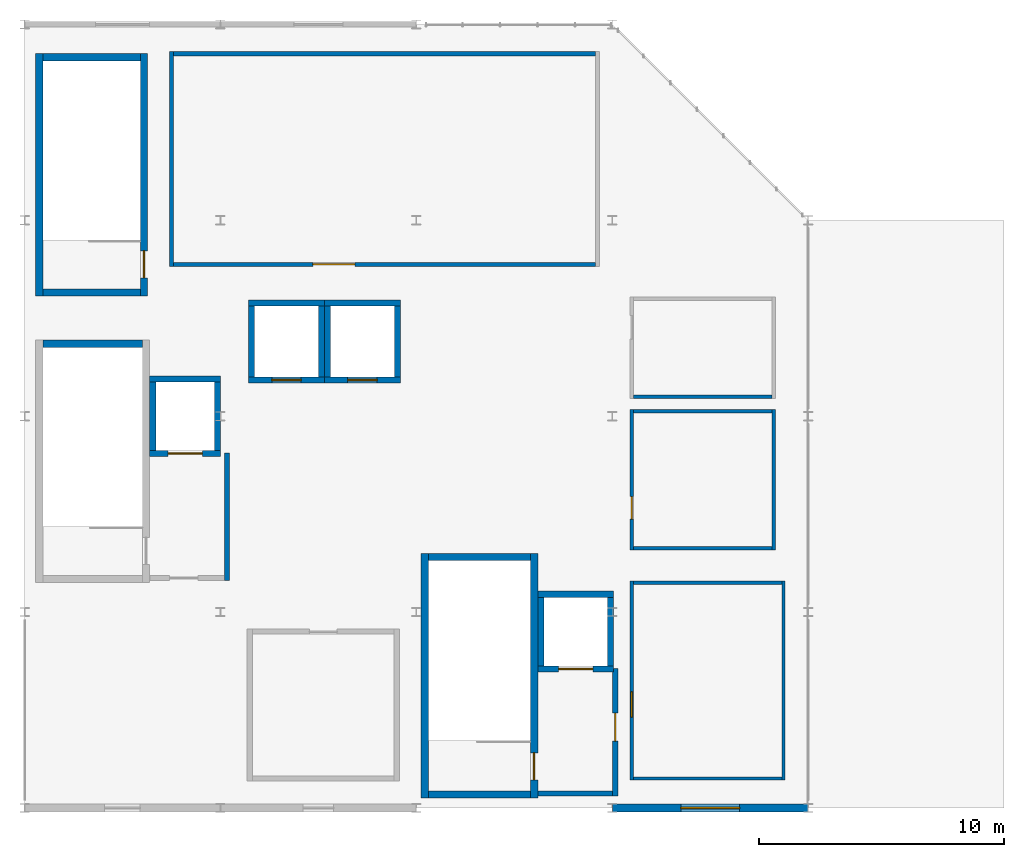
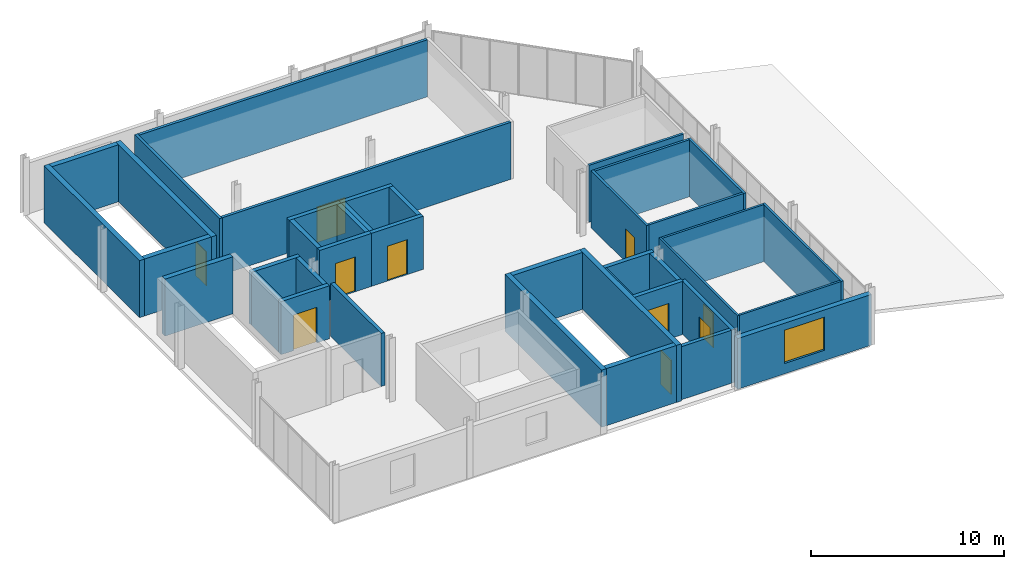
# One storey, part 5 of 7: 41 walls, 10 doors, 1 window, 11 openings.
"""IFC4 building model written with IfcOpenShell, lengths in metres."""

from ifc_helpers import new_model, si_unit, direction, frame, frame_2d, origin, place, context, subcontext, project, spatial, rectangle, extrude, material, layer, layer_set, type_object, element, fill, save


model = new_model("IFC4")

# Units and contexts
model_context = context("Model", 3, precision=1e-05, world=origin(), true_north=direction((0.0, 1.0)))
body_context = subcontext(model_context, "Body", "Model", "MODEL_VIEW")
ifc_project = project(units=[si_unit("LENGTHUNIT", "METRE"), si_unit("AREAUNIT", "SQUARE_METRE"), si_unit("VOLUMEUNIT", "CUBIC_METRE"), si_unit("PLANEANGLEUNIT", "RADIAN"), si_unit("MASSUNIT", "GRAM", prefix="KILO")], contexts=[model_context])

# Site, building, storey
site_placement = place(None, origin())
site = spatial("IfcSite", under=ifc_project, at=site_placement, CompositionType="ELEMENT")
building_placement = place(site_placement, origin())
building = spatial("IfcBuilding", under=site, at=building_placement, Name="Drelvath Fold Interchange", CompositionType="ELEMENT")
storey_placement = place(building_placement, frame((0.0, 0.0, 24.0)))
storey = spatial("IfcBuildingStorey", under=building, at=storey_placement, Name="L05", CompositionType="ELEMENT", Elevation=24.0)

# Walls
ifc_material_1 = material(Name="Concrete f'c 45 MPa (6500 psi)", Category="concrete")
ifc_layer_1 = layer(ifc_material_1, 0.300048828125, Name="Concrete f'c 45 MPa (6500 psi)")
ifc_layer_set_1 = layer_set([ifc_layer_1], Name="Concrete f'c 45 MPa (6500 psi)")
wall_type_1 = type_object("IfcWallType", Name="WL-CR300", PredefinedType="SHEAR", material=ifc_layer_set_1)
wall_1_placement = place(storey_placement, frame((8.81005859375, 21.949951171875, 0.0), z_axis=(0.0, 0.0, 1.0), x_axis=(-1.0, 0.0, 0.0)))
element("IfcWall", 1, at=wall_1_placement, inside=storey, type_object=wall_type_1, Name="ST-01 L05 north core wall", PredefinedType="SHEAR", context=body_context, shape_type="SweptSolid", body=[
    extrude(rectangle(XDim=4.06005859375, YDim=0.300048828125, at=frame_2d((2.030029296875, 0.0))), origin(), (0.0, 0.0, 1.0), 3.60009765625),
])
wall_2_placement = place(storey_placement, frame((4.75, 24.050048828125, 0.0), z_axis=(0.0, 0.0, 1.0), x_axis=(1.0, 0.0, 0.0)))
element("IfcWall", 2, at=wall_2_placement, inside=storey, type_object=wall_type_1, Name="ST-02 L05 south core wall", PredefinedType="SHEAR", context=body_context, shape_type="SweptSolid", body=[
    extrude(rectangle(XDim=3.97998046875, YDim=0.300048828125, at=frame_2d((1.989990234375, 0.0))), origin(), (0.0, 0.0, 1.0), 3.60009765625),
])

# Wall, opening, door
wall_3_placement = place(storey_placement, frame((8.8798828125, 23.89990234375, 0.0), z_axis=(0.0, 0.0, 1.0), x_axis=(0.0, 1.0, 0.0)))
wall_3 = element("IfcWall", 3, at=wall_3_placement, inside=storey, type_object=wall_type_1, Name="ST-02 L05 east core wall", PredefinedType="SHEAR", context=body_context, shape_type="SweptSolid", body=[
    extrude(rectangle(XDim=9.900146484375, YDim=0.300048828125, at=frame_2d((4.9501953125, 0.0))), origin(), (0.0, 0.0, 1.0), 3.60009765625),
])
opening_1_placement = place(wall_3_placement, frame((0.75, 0.0, 0.0)))
opening_1 = element("IfcOpeningElement", 4, at=opening_1_placement, cuts=wall_3, Name="Opening D-L05-016", PredefinedType="OPENING", context=body_context, shape_type="SweptSolid", body=[
    extrude(rectangle(XDim=1.10009765625, YDim=2.14990234375, at=frame_2d((0.550048828125, 1.074951171875))), frame((0.0, 0.159912109375, 0.0), z_axis=(0.0, -1.0, 0.0), x_axis=(1.0, 0.0, 0.0)), (0.0, 0.0, 1.0), 0.320068359375),
])
ifc_material_2 = material(Name="Insulated Hollow Metal Door Assembly")
door_type_1 = type_object("IfcDoorType", Name="DR-ST1100", OperationType="NOTDEFINED", PredefinedType="DOOR", material=ifc_material_2)
door_1_placement = place(opening_1_placement, origin())
door_1 = element("IfcDoor", 5, at=door_1_placement, inside=storey, type_object=door_type_1, Name="ST-02 L05 stair fire door D-L05-016", OperationType="SINGLE_SWING_RIGHT", OverallHeight=2.14990234375, OverallWidth=1.10009765625, PredefinedType="DOOR", context=body_context, shape_type="SweptSolid", body=[
    extrude(rectangle(XDim=1.10009765625, YDim=2.14990234375, at=frame_2d((0.550048828125, 1.074951171875))), frame((0.0, 0.02490234375, 0.0), z_axis=(0.0, -1.0, 0.0), x_axis=(1.0, 0.0, 0.0)), (0.0, 0.0, 1.0), 0.050048828125),
])
fill(opening_1, door_1)

# Walls
wall_4_placement = place(storey_placement, frame((8.72998046875, 33.64990234375, 0.0), z_axis=(0.0, 0.0, 1.0), x_axis=(-1.0, 0.0, 0.0)))
element("IfcWall", 6, at=wall_4_placement, inside=storey, type_object=wall_type_1, Name="ST-02 L05 north core wall", PredefinedType="SHEAR", context=body_context, shape_type="SweptSolid", body=[
    extrude(rectangle(XDim=3.97998046875, YDim=0.300048828125, at=frame_2d((1.989990234375, 0.0))), origin(), (0.0, 0.0, 1.0), 3.60009765625),
])
wall_5_placement = place(storey_placement, frame((4.60009765625, 33.800048828125, 0.0), z_axis=(0.0, 0.0, 1.0), x_axis=(0.0, -1.0, 0.0)))
element("IfcWall", 7, at=wall_5_placement, inside=storey, type_object=wall_type_1, Name="ST-02 L05 west core wall", PredefinedType="SHEAR", context=body_context, shape_type="SweptSolid", body=[
    extrude(rectangle(XDim=9.900146484375, YDim=0.300048828125, at=frame_2d((4.9501953125, 0.0))), origin(), (0.0, 0.0, 1.0), 3.60009765625),
])
wall_6_placement = place(storey_placement, frame((20.5, 3.550048828125, 0.0), z_axis=(0.0, 0.0, 1.0), x_axis=(1.0, 0.0, 0.0)))
element("IfcWall", 8, at=wall_6_placement, inside=storey, type_object=wall_type_1, Name="ST-03 L05 south core wall", PredefinedType="SHEAR", context=body_context, shape_type="SweptSolid", body=[
    extrude(rectangle(XDim=4.159912109375, YDim=0.300048828125, at=frame_2d((2.080078125, 0.0))), origin(), (0.0, 0.0, 1.0), 3.60009765625),
])

# Wall, opening, door
wall_7_placement = place(storey_placement, frame((24.81005859375, 3.39990234375, 0.0), z_axis=(0.0, 0.0, 1.0), x_axis=(0.0, 1.0, 0.0)))
wall_7 = element("IfcWall", 9, at=wall_7_placement, inside=storey, type_object=wall_type_1, Name="ST-03 L05 east core wall", PredefinedType="SHEAR", context=body_context, shape_type="SweptSolid", body=[
    extrude(rectangle(XDim=10.0, YDim=0.300048828125, at=frame_2d((5.0, 0.0))), origin(), (0.0, 0.0, 1.0), 3.60009765625),
])
opening_2_placement = place(wall_7_placement, frame((0.75, 0.0, 0.0)))
opening_2 = element("IfcOpeningElement", 10, at=opening_2_placement, cuts=wall_7, Name="Opening D-L05-024", PredefinedType="OPENING", context=body_context, shape_type="SweptSolid", body=[
    extrude(rectangle(XDim=1.10009765625, YDim=2.14990234375, at=frame_2d((0.550048828125, 1.074951171875))), frame((0.0, 0.159912109375, 0.0), z_axis=(0.0, -1.0, 0.0), x_axis=(1.0, 0.0, 0.0)), (0.0, 0.0, 1.0), 0.320068359375),
])
door_2_placement = place(opening_2_placement, origin())
door_2 = element("IfcDoor", 11, at=door_2_placement, inside=storey, type_object=door_type_1, Name="ST-03 L05 stair fire door D-L05-024", OperationType="SINGLE_SWING_RIGHT", OverallHeight=2.14990234375, OverallWidth=1.10009765625, PredefinedType="DOOR", context=body_context, shape_type="SweptSolid", body=[
    extrude(rectangle(XDim=1.10009765625, YDim=2.14990234375, at=frame_2d((0.550048828125, 1.074951171875))), frame((0.0, 0.02490234375, 0.0), z_axis=(0.0, -1.0, 0.0), x_axis=(1.0, 0.0, 0.0)), (0.0, 0.0, 1.0), 0.050048828125),
])
fill(opening_2, door_2)

# Walls
wall_8_placement = place(storey_placement, frame((24.659912109375, 13.25, 0.0), z_axis=(0.0, 0.0, 1.0), x_axis=(-1.0, 0.0, 0.0)))
element("IfcWall", 12, at=wall_8_placement, inside=storey, type_object=wall_type_1, Name="ST-03 L05 north core wall", PredefinedType="SHEAR", context=body_context, shape_type="SweptSolid", body=[
    extrude(rectangle(XDim=4.159912109375, YDim=0.300048828125, at=frame_2d((2.080078125, 0.0))), origin(), (0.0, 0.0, 1.0), 3.60009765625),
])
wall_9_placement = place(storey_placement, frame((20.35009765625, 13.39990234375, 0.0), z_axis=(0.0, 0.0, 1.0), x_axis=(0.0, -1.0, 0.0)))
element("IfcWall", 13, at=wall_9_placement, inside=storey, type_object=wall_type_1, Name="ST-03 L05 west core wall", PredefinedType="SHEAR", context=body_context, shape_type="SweptSolid", body=[
    extrude(rectangle(XDim=10.0, YDim=0.300048828125, at=frame_2d((5.0, 0.0))), origin(), (0.0, 0.0, 1.0), 3.60009765625),
])

# Wall, opening, window
ifc_material_3 = material(Name="Precast concrete f'c 40 MPa (6000 psi)", Category="concrete")
ifc_layer_2 = layer(ifc_material_3, 0.31494140625, Name="Precast concrete f'c 40 MPa (6000 psi)")
ifc_layer_set_2 = layer_set([ifc_layer_2], Name="Precast concrete f'c 40 MPa (6000 psi)")
wall_type_2 = type_object("IfcWallType", Name="WL-EXT315", PredefinedType="SOLIDWALL", material=ifc_layer_set_2)
wall_10_placement = place(storey_placement, frame((28.008056640625, 3.0, 0.0), z_axis=(0.0, 0.0, 1.0), x_axis=(1.0, 0.0, 0.0)))
wall_10 = element("IfcWall", 14, at=wall_10_placement, inside=storey, type_object=wall_type_2, Name="L05 exterior facade wall 82", PredefinedType="SOLIDWALL", context=body_context, shape_type="SweptSolid", body=[
    extrude(rectangle(XDim=7.98388671875, YDim=0.31494140625, at=frame_2d((3.991943359375, 0.0))), origin(), (0.0, 0.0, 1.0), 3.199951171875),
])
opening_3_placement = place(wall_10_placement, frame((2.7919921875, 0.0, 0.64990234375)))
opening_3 = element("IfcOpeningElement", 15, at=opening_3_placement, cuts=wall_10, Name="Opening W-L05-073", PredefinedType="OPENING", context=body_context, shape_type="SweptSolid", body=[
    extrude(rectangle(XDim=2.39990234375, YDim=2.10009765625, at=frame_2d((1.199951171875, 1.050048828125))), frame((0.0, 0.16748046875, 0.0), z_axis=(0.0, -1.0, 0.0), x_axis=(1.0, 0.0, 0.0)), (0.0, 0.0, 1.0), 0.3349609375),
])
ifc_material_4 = material(Name="Low-Iron Insulated Laminated Glass", Category="glass")
window_type = type_object("IfcWindowType", Name="WN-240x210", PartitioningType="TRIPLE_PANEL_HORIZONTAL", PredefinedType="WINDOW", material=ifc_material_4)
window_placement = place(opening_3_placement, origin())
window = element("IfcWindow", 16, at=window_placement, inside=storey, type_object=window_type, Name="Facade window W-L05-073", OverallHeight=2.10009765625, OverallWidth=2.39990234375, PartitioningType="SINGLE_PANEL", PredefinedType="WINDOW", context=body_context, shape_type="SweptSolid", body=[
    extrude(rectangle(XDim=2.39990234375, YDim=2.10009765625, at=frame_2d((1.199951171875, 1.050048828125))), frame((0.0, 0.030029296875, 0.0), z_axis=(0.0, -1.0, 0.0), x_axis=(1.0, 0.0, 0.0)), (0.0, 0.0, 1.0), 0.06005859375),
])
fill(opening_3, window)

# Walls
ifc_layer_3 = layer(ifc_material_1, 0.219970703125, Name="Concrete f'c 45 MPa (6500 psi)")
ifc_layer_set_3 = layer_set([ifc_layer_3], Name="Concrete f'c 45 MPa (6500 psi)")
wall_type_3 = type_object("IfcWallType", Name="WL-FF220", PredefinedType="SOLIDWALL", material=ifc_layer_set_3)
wall_11_placement = place(storey_placement, frame((12.27001953125, 12.280029296875, 0.0), z_axis=(0.0, 0.0, 1.0), x_axis=(0.0, 1.0, 0.0)))
element("IfcWall", 17, at=wall_11_placement, inside=storey, type_object=wall_type_3, Name="Firefighting Lift Lobby FF-1 L05 east rated wall", PredefinedType="SOLIDWALL", context=body_context, shape_type="SweptSolid", body=[
    extrude(rectangle(XDim=5.2099609375, YDim=0.219970703125, at=frame_2d((2.60498046875, 0.0))), origin(), (0.0, 0.0, 1.0), 3.35009765625),
])
wall_12_placement = place(storey_placement, frame((24.969970703125, 3.590087890625, 0.0), z_axis=(0.0, 0.0, 1.0), x_axis=(1.0, 0.0, 0.0)))
element("IfcWall", 18, at=wall_12_placement, inside=storey, type_object=wall_type_3, Name="Firefighting Lift Lobby FF-2 L05 south rated wall", PredefinedType="SOLIDWALL", context=body_context, shape_type="SweptSolid", body=[
    extrude(rectangle(XDim=3.0400390625, YDim=0.219970703125, at=frame_2d((1.52001953125, 0.0))), origin(), (0.0, 0.0, 1.0), 3.35009765625),
])

# Wall, opening, door
wall_13_placement = place(storey_placement, frame((28.1201171875, 3.47998046875, 0.0), z_axis=(0.0, 0.0, 1.0), x_axis=(0.0, 1.0, 0.0)))
wall_13 = element("IfcWall", 19, at=wall_13_placement, inside=storey, type_object=wall_type_3, Name="Firefighting Lift Lobby FF-2 L05 east rated wall", PredefinedType="SOLIDWALL", context=body_context, shape_type="SweptSolid", body=[
    extrude(rectangle(XDim=5.2099609375, YDim=0.219970703125, at=frame_2d((2.60498046875, 0.0))), origin(), (0.0, 0.0, 1.0), 3.35009765625),
])
opening_4_placement = place(wall_13_placement, frame((2.2451171875, 0.0, 0.0)))
opening_4 = element("IfcOpeningElement", 20, at=opening_4_placement, cuts=wall_13, Name="Opening D-L05-063", PredefinedType="OPENING", context=body_context, shape_type="SweptSolid", body=[
    extrude(rectangle(XDim=1.14990234375, YDim=2.14990234375, at=frame_2d((0.574951171875, 1.074951171875))), frame((0.0, 0.119873046875, 0.0), z_axis=(0.0, -1.0, 0.0), x_axis=(1.0, 0.0, 0.0)), (0.0, 0.0, 1.0), 0.239990234375),
])
door_type_2 = type_object("IfcDoorType", Name="DR-FF1150", OperationType="NOTDEFINED", PredefinedType="DOOR", material=ifc_material_2)
door_3_placement = place(opening_4_placement, origin())
door_3 = element("IfcDoor", 21, at=door_3_placement, inside=storey, type_object=door_type_2, Name="Firefighting Lift Lobby FF-2 L05 corridor fire door D-L05-063", OperationType="SINGLE_SWING_LEFT", OverallHeight=2.14990234375, OverallWidth=1.14990234375, PredefinedType="DOOR", context=body_context, shape_type="SweptSolid", body=[
    extrude(rectangle(XDim=1.14990234375, YDim=2.14990234375, at=frame_2d((0.574951171875, 1.074951171875))), frame((0.0, 0.02490234375, 0.0), z_axis=(0.0, -1.0, 0.0), x_axis=(1.0, 0.0, 0.0)), (0.0, 0.0, 1.0), 0.050048828125),
])
fill(opening_4, door_3)

# Walls
ifc_material_5 = material(Name="Acoustic Gypsum Board Partition Assembly")
ifc_layer_4 = layer(ifc_material_5, 0.1298828125, Name="Acoustic Gypsum Board Partition Assembly")
ifc_layer_set_4 = layer_set([ifc_layer_4], Name="Acoustic Gypsum Board Partition Assembly")
wall_type_4 = type_object("IfcWallType", Name="WL-PT130", PredefinedType="PARTITIONING", material=ifc_layer_set_4)
wall_14_placement = place(storey_placement, frame((28.864990234375, 4.199951171875, 0.0), z_axis=(0.0, 0.0, 1.0), x_axis=(1.0, 0.0, 0.0)))
element("IfcWall", 22, at=wall_14_placement, inside=storey, type_object=wall_type_4, Name="SCADA Telemetry Supervision Room S partition", PredefinedType="PARTITIONING", context=body_context, shape_type="SweptSolid", body=[
    extrude(rectangle(XDim=6.070068359375, YDim=0.1298828125, at=frame_2d((3.03515625, 0.0))), origin(), (0.0, 0.0, 1.0), 3.60009765625),
])
wall_15_placement = place(storey_placement, frame((35.0, 4.135009765625, 0.0), z_axis=(0.0, 0.0, 1.0), x_axis=(0.0, 1.0, 0.0)))
element("IfcWall", 23, at=wall_15_placement, inside=storey, type_object=wall_type_4, Name="SCADA Telemetry Supervision Room E partition", PredefinedType="PARTITIONING", context=body_context, shape_type="SweptSolid", body=[
    extrude(rectangle(XDim=8.1298828125, YDim=0.1298828125, at=frame_2d((4.06494140625, 0.0))), origin(), (0.0, 0.0, 1.0), 3.60009765625),
])
wall_16_placement = place(storey_placement, frame((34.93505859375, 12.199951171875, 0.0), z_axis=(0.0, 0.0, 1.0), x_axis=(-1.0, 0.0, 0.0)))
element("IfcWall", 24, at=wall_16_placement, inside=storey, type_object=wall_type_4, Name="SCADA Telemetry Supervision Room N partition", PredefinedType="PARTITIONING", context=body_context, shape_type="SweptSolid", body=[
    extrude(rectangle(XDim=6.070068359375, YDim=0.1298828125, at=frame_2d((3.03515625, 0.0))), origin(), (0.0, 0.0, 1.0), 3.60009765625),
])

# Wall, opening, door
wall_17_placement = place(storey_placement, frame((28.800048828125, 12.264892578125, 0.0), z_axis=(0.0, 0.0, 1.0), x_axis=(0.0, -1.0, 0.0)))
wall_17 = element("IfcWall", 25, at=wall_17_placement, inside=storey, type_object=wall_type_4, Name="SCADA Telemetry Supervision Room W partition", PredefinedType="PARTITIONING", context=body_context, shape_type="SweptSolid", body=[
    extrude(rectangle(XDim=8.1298828125, YDim=0.1298828125, at=frame_2d((4.06494140625, 0.0))), origin(), (0.0, 0.0, 1.0), 3.60009765625),
])
opening_5_placement = place(wall_17_placement, frame((4.52099609375, 0.0, 0.0)))
opening_5 = element("IfcOpeningElement", 26, at=opening_5_placement, cuts=wall_17, Name="Opening D-L05-139", PredefinedType="OPENING", context=body_context, shape_type="SweptSolid", body=[
    extrude(rectangle(XDim=1.0400390625, YDim=2.159912109375, at=frame_2d((0.52001953125, 1.080078125))), frame((0.0, 0.074951171875, 0.0), z_axis=(0.0, -1.0, 0.0), x_axis=(1.0, 0.0, 0.0)), (0.0, 0.0, 1.0), 0.14990234375),
])
ifc_material_6 = material(Name="Anodized Aluminium Glazed Door Assembly", Category="aluminium")
door_type_3 = type_object("IfcDoorType", Name="DR-NR104", OperationType="NOTDEFINED", PredefinedType="DOOR", material=ifc_material_6)
door_4_placement = place(opening_5_placement, origin())
door_4 = element("IfcDoor", 27, at=door_4_placement, inside=storey, type_object=door_type_3, Name="SCADA Telemetry Supervision Room door D-L05-139", OperationType="SINGLE_SWING_LEFT", OverallHeight=2.159912109375, OverallWidth=1.0400390625, PredefinedType="DOOR", context=body_context, shape_type="SweptSolid", body=[
    extrude(rectangle(XDim=1.0400390625, YDim=2.159912109375, at=frame_2d((0.52001953125, 1.080078125))), frame((0.0, 0.02490234375, 0.0), z_axis=(0.0, -1.0, 0.0), x_axis=(1.0, 0.0, 0.0)), (0.0, 0.0, 1.0), 0.050048828125),
])
fill(opening_5, door_4)

# Walls
ifc_layer_5 = layer(ifc_material_5, 0.14501953125, Name="Acoustic Gypsum Board Partition Assembly")
ifc_layer_set_5 = layer_set([ifc_layer_5], Name="Acoustic Gypsum Board Partition Assembly")
wall_type_5 = type_object("IfcWallType", Name="WL-PT145", PredefinedType="PARTITIONING", material=ifc_layer_set_5)
wall_18_placement = place(storey_placement, frame((28.873046875, 13.60009765625, 0.0), z_axis=(0.0, 0.0, 1.0), x_axis=(1.0, 0.0, 0.0)))
element("IfcWall", 28, at=wall_18_placement, inside=storey, type_object=wall_type_5, Name="Control Theatre Staff Toilet S partition", PredefinedType="PARTITIONING", context=body_context, shape_type="SweptSolid", body=[
    extrude(rectangle(XDim=5.655029296875, YDim=0.14501953125, at=frame_2d((2.82763671875, 0.0))), origin(), (0.0, 0.0, 1.0), 3.60009765625),
])
wall_19_placement = place(storey_placement, frame((34.60009765625, 13.527099609375, 0.0), z_axis=(0.0, 0.0, 1.0), x_axis=(0.0, 1.0, 0.0)))
element("IfcWall", 29, at=wall_19_placement, inside=storey, type_object=wall_type_5, Name="Control Theatre Staff Toilet E partition", PredefinedType="PARTITIONING", context=body_context, shape_type="SweptSolid", body=[
    extrude(rectangle(XDim=5.745849609375, YDim=0.14501953125, at=frame_2d((2.873046875, 0.0))), origin(), (0.0, 0.0, 1.0), 3.60009765625),
])
wall_20_placement = place(storey_placement, frame((34.528076171875, 19.199951171875, 0.0), z_axis=(0.0, 0.0, 1.0), x_axis=(-1.0, 0.0, 0.0)))
element("IfcWall", 30, at=wall_20_placement, inside=storey, type_object=wall_type_5, Name="Control Theatre Staff Toilet N partition", PredefinedType="PARTITIONING", context=body_context, shape_type="SweptSolid", body=[
    extrude(rectangle(XDim=5.655029296875, YDim=0.14501953125, at=frame_2d((2.82763671875, 0.0))), origin(), (0.0, 0.0, 1.0), 3.60009765625),
])

# Wall, opening, door
wall_21_placement = place(storey_placement, frame((28.800048828125, 19.27294921875, 0.0), z_axis=(0.0, 0.0, 1.0), x_axis=(0.0, -1.0, 0.0)))
wall_21 = element("IfcWall", 31, at=wall_21_placement, inside=storey, type_object=wall_type_5, Name="Control Theatre Staff Toilet W partition", PredefinedType="PARTITIONING", context=body_context, shape_type="SweptSolid", body=[
    extrude(rectangle(XDim=5.745849609375, YDim=0.14501953125, at=frame_2d((2.873046875, 0.0))), origin(), (0.0, 0.0, 1.0), 3.60009765625),
])
opening_6_placement = place(wall_21_placement, frame((3.56201171875, 0.0, 0.0)))
opening_6 = element("IfcOpeningElement", 32, at=opening_6_placement, cuts=wall_21, Name="Opening D-L05-141", PredefinedType="OPENING", context=body_context, shape_type="SweptSolid", body=[
    extrude(rectangle(XDim=0.919921875, YDim=2.10009765625, at=frame_2d((0.4599609375, 1.050048828125))), frame((0.0, 0.08251953125, 0.0), z_axis=(0.0, -1.0, 0.0), x_axis=(1.0, 0.0, 0.0)), (0.0, 0.0, 1.0), 0.1650390625),
])
door_type_4 = type_object("IfcDoorType", Name="DR-NR092", OperationType="NOTDEFINED", PredefinedType="DOOR", material=ifc_material_6)
door_5_placement = place(opening_6_placement, origin())
door_5 = element("IfcDoor", 33, at=door_5_placement, inside=storey, type_object=door_type_4, Name="Control Theatre Staff Toilet door D-L05-141", OperationType="SINGLE_SWING_LEFT", OverallHeight=2.10009765625, OverallWidth=0.919921875, PredefinedType="DOOR", context=body_context, shape_type="SweptSolid", body=[
    extrude(rectangle(XDim=0.919921875, YDim=2.10009765625, at=frame_2d((0.4599609375, 1.050048828125))), frame((0.0, 0.02490234375, 0.0), z_axis=(0.0, -1.0, 0.0), x_axis=(1.0, 0.0, 0.0)), (0.0, 0.0, 1.0), 0.050048828125),
])
fill(opening_6, door_5)

# Wall
wall_22_placement = place(storey_placement, frame((28.873046875, 19.800048828125, 0.0), z_axis=(0.0, 0.0, 1.0), x_axis=(1.0, 0.0, 0.0)))
element("IfcWall", 34, at=wall_22_placement, inside=storey, type_object=wall_type_5, Name="Control Theatre Accessible WC S partition", PredefinedType="PARTITIONING", context=body_context, shape_type="SweptSolid", body=[
    extrude(rectangle(XDim=5.655029296875, YDim=0.14501953125, at=frame_2d((2.82763671875, 0.0))), origin(), (0.0, 0.0, 1.0), 3.60009765625),
])

# Wall, opening, door
ifc_layer_6 = layer(ifc_material_5, 0.169921875, Name="Acoustic Gypsum Board Partition Assembly")
ifc_layer_set_6 = layer_set([ifc_layer_6], Name="Acoustic Gypsum Board Partition Assembly")
wall_type_6 = type_object("IfcWallType", Name="WL-PT170", PredefinedType="PARTITIONING", material=ifc_layer_set_6)
wall_23_placement = place(storey_placement, frame((10.0849609375, 25.199951171875, 0.0), z_axis=(0.0, 0.0, 1.0), x_axis=(1.0, 0.0, 0.0)))
wall_23 = element("IfcWall", 35, at=wall_23_placement, inside=storey, type_object=wall_type_6, Name="Central Network Control Theatre S partition", PredefinedType="PARTITIONING", context=body_context, shape_type="SweptSolid", body=[
    extrude(rectangle(XDim=17.22998046875, YDim=0.169921875, at=frame_2d((8.614990234375, 0.0))), origin(), (0.0, 0.0, 1.0), 3.60009765625),
])
opening_7_placement = place(wall_23_placement, frame((5.68701171875, 0.0, 0.0)))
opening_7 = element("IfcOpeningElement", 36, at=opening_7_placement, cuts=wall_23, Name="Opening D-L05-138", PredefinedType="OPENING", context=body_context, shape_type="SweptSolid", body=[
    extrude(rectangle(XDim=1.719970703125, YDim=2.25, at=frame_2d((0.85986328125, 1.125))), frame((0.0, 0.094970703125, 0.0), z_axis=(0.0, -1.0, 0.0), x_axis=(1.0, 0.0, 0.0)), (0.0, 0.0, 1.0), 0.18994140625),
])
door_type_5 = type_object("IfcDoorType", Name="DR-NR172", OperationType="DOUBLE_DOOR_SINGLE_SWING", PredefinedType="DOOR", material=ifc_material_6)
door_6_placement = place(opening_7_placement, origin())
door_6 = element("IfcDoor", 37, at=door_6_placement, inside=storey, type_object=door_type_5, Name="Central Network Control Theatre door D-L05-138", OperationType="DOUBLE_DOOR_SINGLE_SWING", OverallHeight=2.25, OverallWidth=1.719970703125, PredefinedType="DOOR", context=body_context, shape_type="SweptSolid", body=[
    extrude(rectangle(XDim=1.719970703125, YDim=2.25, at=frame_2d((0.85986328125, 1.125))), frame((0.0, 0.02490234375, 0.0), z_axis=(0.0, -1.0, 0.0), x_axis=(1.0, 0.0, 0.0)), (0.0, 0.0, 1.0), 0.050048828125),
])
fill(opening_7, door_6)

# Walls
wall_24_placement = place(storey_placement, frame((27.31494140625, 33.800048828125, 0.0), z_axis=(0.0, 0.0, 1.0), x_axis=(-1.0, 0.0, 0.0)))
element("IfcWall", 38, at=wall_24_placement, inside=storey, type_object=wall_type_6, Name="Central Network Control Theatre N partition", PredefinedType="PARTITIONING", context=body_context, shape_type="SweptSolid", body=[
    extrude(rectangle(XDim=17.22998046875, YDim=0.169921875, at=frame_2d((8.614990234375, 0.0))), origin(), (0.0, 0.0, 1.0), 3.60009765625),
])
wall_25_placement = place(storey_placement, frame((10.0, 33.885009765625, 0.0), z_axis=(0.0, 0.0, 1.0), x_axis=(0.0, -1.0, 0.0)))
element("IfcWall", 39, at=wall_25_placement, inside=storey, type_object=wall_type_6, Name="Central Network Control Theatre W partition", PredefinedType="PARTITIONING", context=body_context, shape_type="SweptSolid", body=[
    extrude(rectangle(XDim=8.77001953125, YDim=0.169921875, at=frame_2d((4.385009765625, 0.0))), origin(), (0.0, 0.0, 1.0), 3.60009765625),
])

# Wall, opening, door
ifc_layer_7 = layer(ifc_material_1, 0.25, Name="Concrete f'c 45 MPa (6500 psi)")
ifc_layer_set_7 = layer_set([ifc_layer_7], Name="Concrete f'c 45 MPa (6500 psi)")
wall_type_7 = type_object("IfcWallType", Name="WL-SH250", PredefinedType="SOLIDWALL", material=ifc_layer_set_7)
wall_26_placement = place(storey_placement, frame((9.110107421875, 17.47509765625, 0.0), z_axis=(0.0, 0.0, 1.0), x_axis=(1.0, 0.0, 0.0)))
wall_26 = element("IfcWall", 40, at=wall_26_placement, inside=storey, type_object=wall_type_7, Name="LF-FF1 L05 south shaft wall", PredefinedType="SOLIDWALL", context=body_context, shape_type="SweptSolid", body=[
    extrude(rectangle(XDim=2.89990234375, YDim=0.25, at=frame_2d((1.449951171875, 0.0))), origin(), (0.0, 0.0, 1.0), 3.35009765625),
])
opening_8_placement = place(wall_26_placement, frame((0.75, 0.0, 0.0)))
opening_8 = element("IfcOpeningElement", 41, at=opening_8_placement, cuts=wall_26, Name="Opening LD-LF-FF1-L05", PredefinedType="OPENING", context=body_context, shape_type="SweptSolid", body=[
    extrude(rectangle(XDim=1.39990234375, YDim=2.25, at=frame_2d((0.699951171875, 1.125))), frame((0.0, 0.135009765625, 0.0), z_axis=(0.0, -1.0, 0.0), x_axis=(1.0, 0.0, 0.0)), (0.0, 0.0, 1.0), 0.27001953125),
])
door_type_6 = type_object("IfcDoorType", Name="DR-LD1400", OperationType="DOUBLE_DOOR_SLIDING", PredefinedType="DOOR", material=ifc_material_2)
door_7_placement = place(opening_8_placement, frame((1.39990234375, 0.0, 0.0), z_axis=(0.0, 0.0, 1.0), x_axis=(-1.0, 0.0, 0.0)))
door_7 = element("IfcDoor", 42, at=door_7_placement, inside=storey, type_object=door_type_6, Name="LF-FF1 L05 lift landing sliding door LD-LF-FF1-L05", OperationType="DOUBLE_DOOR_SLIDING", OverallHeight=2.25, OverallWidth=1.39990234375, PredefinedType="DOOR", context=body_context, shape_type="SweptSolid", body=[
    extrude(rectangle(XDim=1.39990234375, YDim=2.25, at=frame_2d((0.699951171875, 1.125))), frame((0.0, 0.02490234375, 0.0), z_axis=(0.0, -1.0, 0.0), x_axis=(1.0, 0.0, 0.0)), (0.0, 0.0, 1.0), 0.050048828125),
])
fill(opening_8, door_7)

# Walls
wall_27_placement = place(storey_placement, frame((12.010009765625, 20.52490234375, 0.0), z_axis=(0.0, 0.0, 1.0), x_axis=(-1.0, 0.0, 0.0)))
element("IfcWall", 43, at=wall_27_placement, inside=storey, type_object=wall_type_7, Name="LF-FF1 L05 north shaft wall", PredefinedType="SOLIDWALL", context=body_context, shape_type="SweptSolid", body=[
    extrude(rectangle(XDim=2.89990234375, YDim=0.25, at=frame_2d((1.449951171875, 0.0))), origin(), (0.0, 0.0, 1.0), 3.35009765625),
])
for number, where, z_axis, x_axis, name in (
    (44, (11.885009765625, 17.60009765625, 0.0), (0.0, 0.0, 1.0), (0.0, 1.0, 0.0), "LF-FF1 L05 east shaft wall"),
    (45, (9.235107421875, 20.39990234375, 0.0), (0.0, 0.0, 1.0), (0.0, -1.0, 0.0), "LF-FF1 L05 west shaft wall"),
):
    element("IfcWall", number, at=place(storey_placement, frame(where, z_axis=z_axis, x_axis=x_axis)), inside=storey, type_object=wall_type_7, Name=name, PredefinedType="SOLIDWALL", context=body_context, shape_type="SweptSolid", body=[
        extrude(rectangle(XDim=2.7998046875, YDim=0.25, at=frame_2d((1.39990234375, 0.0))), origin(), (0.0, 0.0, 1.0), 3.35009765625),
    ])

# Wall, opening, door
wall_28_placement = place(storey_placement, frame((24.9599609375, 8.675048828125, 0.0), z_axis=(0.0, 0.0, 1.0), x_axis=(1.0, 0.0, 0.0)))
wall_28 = element("IfcWall", 46, at=wall_28_placement, inside=storey, type_object=wall_type_7, Name="LF-FF2 L05 south shaft wall", PredefinedType="SOLIDWALL", context=body_context, shape_type="SweptSolid", body=[
    extrude(rectangle(XDim=3.10009765625, YDim=0.25, at=frame_2d((1.550048828125, 0.0))), origin(), (0.0, 0.0, 1.0), 3.35009765625),
])
opening_9_placement = place(wall_28_placement, frame((0.85009765625, 0.0, 0.0)))
opening_9 = element("IfcOpeningElement", 47, at=opening_9_placement, cuts=wall_28, Name="Opening LD-LF-FF2-L05", PredefinedType="OPENING", context=body_context, shape_type="SweptSolid", body=[
    extrude(rectangle(XDim=1.39990234375, YDim=2.25, at=frame_2d((0.699951171875, 1.125))), frame((0.0, 0.135009765625, 0.0), z_axis=(0.0, -1.0, 0.0), x_axis=(1.0, 0.0, 0.0)), (0.0, 0.0, 1.0), 0.27001953125),
])
door_8_placement = place(opening_9_placement, frame((1.39990234375, 0.0, 0.0), z_axis=(0.0, 0.0, 1.0), x_axis=(-1.0, 0.0, 0.0)))
door_8 = element("IfcDoor", 48, at=door_8_placement, inside=storey, type_object=door_type_6, Name="LF-FF2 L05 lift landing sliding door LD-LF-FF2-L05", OperationType="DOUBLE_DOOR_SLIDING", OverallHeight=2.25, OverallWidth=1.39990234375, PredefinedType="DOOR", context=body_context, shape_type="SweptSolid", body=[
    extrude(rectangle(XDim=1.39990234375, YDim=2.25, at=frame_2d((0.699951171875, 1.125))), frame((0.0, 0.02490234375, 0.0), z_axis=(0.0, -1.0, 0.0), x_axis=(1.0, 0.0, 0.0)), (0.0, 0.0, 1.0), 0.050048828125),
])
fill(opening_9, door_8)

# Walls
wall_29_placement = place(storey_placement, frame((28.06005859375, 11.72509765625, 0.0), z_axis=(0.0, 0.0, 1.0), x_axis=(-1.0, 0.0, 0.0)))
element("IfcWall", 49, at=wall_29_placement, inside=storey, type_object=wall_type_7, Name="LF-FF2 L05 north shaft wall", PredefinedType="SOLIDWALL", context=body_context, shape_type="SweptSolid", body=[
    extrude(rectangle(XDim=3.10009765625, YDim=0.25, at=frame_2d((1.550048828125, 0.0))), origin(), (0.0, 0.0, 1.0), 3.35009765625),
])
for number, where, z_axis, x_axis, name in (
    (50, (27.93505859375, 8.800048828125, 0.0), (0.0, 0.0, 1.0), (0.0, 1.0, 0.0), "LF-FF2 L05 east shaft wall"),
    (51, (25.0849609375, 11.60009765625, 0.0), (0.0, 0.0, 1.0), (0.0, -1.0, 0.0), "LF-FF2 L05 west shaft wall"),
):
    element("IfcWall", number, at=place(storey_placement, frame(where, z_axis=z_axis, x_axis=x_axis)), inside=storey, type_object=wall_type_7, Name=name, PredefinedType="SOLIDWALL", context=body_context, shape_type="SweptSolid", body=[
        extrude(rectangle(XDim=2.800048828125, YDim=0.25, at=frame_2d((1.39990234375, 0.0))), origin(), (0.0, 0.0, 1.0), 3.35009765625),
    ])

# Wall, opening, door
wall_30_placement = place(storey_placement, frame((13.14990234375, 20.47509765625, 0.0), z_axis=(0.0, 0.0, 1.0), x_axis=(1.0, 0.0, 0.0)))
wall_30 = element("IfcWall", 52, at=wall_30_placement, inside=storey, type_object=wall_type_7, Name="LF-01 L05 south shaft wall", PredefinedType="SOLIDWALL", context=body_context, shape_type="SweptSolid", body=[
    extrude(rectangle(XDim=3.10009765625, YDim=0.25, at=frame_2d((1.550048828125, 0.0))), origin(), (0.0, 0.0, 1.0), 3.35009765625),
])
opening_10_placement = place(wall_30_placement, frame((0.949951171875, 0.0, 0.0)))
opening_10 = element("IfcOpeningElement", 53, at=opening_10_placement, cuts=wall_30, Name="Opening LD-LF-01-L05", PredefinedType="OPENING", context=body_context, shape_type="SweptSolid", body=[
    extrude(rectangle(XDim=1.199951171875, YDim=2.199951171875, at=frame_2d((0.60009765625, 1.10009765625))), frame((0.0, 0.135009765625, 0.0), z_axis=(0.0, -1.0, 0.0), x_axis=(1.0, 0.0, 0.0)), (0.0, 0.0, 1.0), 0.27001953125),
])
door_type_7 = type_object("IfcDoorType", Name="DR-LD1200", OperationType="DOUBLE_DOOR_SLIDING", PredefinedType="DOOR", material=ifc_material_2)
door_9_placement = place(opening_10_placement, frame((1.199951171875, 0.0, 0.0), z_axis=(0.0, 0.0, 1.0), x_axis=(-1.0, 0.0, 0.0)))
door_9 = element("IfcDoor", 54, at=door_9_placement, inside=storey, type_object=door_type_7, Name="LF-01 L05 lift landing sliding door LD-LF-01-L05", OperationType="DOUBLE_DOOR_SLIDING", OverallHeight=2.199951171875, OverallWidth=1.199951171875, PredefinedType="DOOR", context=body_context, shape_type="SweptSolid", body=[
    extrude(rectangle(XDim=1.199951171875, YDim=2.199951171875, at=frame_2d((0.60009765625, 1.10009765625))), frame((0.0, 0.02490234375, 0.0), z_axis=(0.0, -1.0, 0.0), x_axis=(1.0, 0.0, 0.0)), (0.0, 0.0, 1.0), 0.050048828125),
])
fill(opening_10, door_9)

# Walls
wall_31_placement = place(storey_placement, frame((16.25, 23.625, 0.0), z_axis=(0.0, 0.0, 1.0), x_axis=(-1.0, 0.0, 0.0)))
element("IfcWall", 55, at=wall_31_placement, inside=storey, type_object=wall_type_7, Name="LF-01 L05 north shaft wall", PredefinedType="SOLIDWALL", context=body_context, shape_type="SweptSolid", body=[
    extrude(rectangle(XDim=3.10009765625, YDim=0.25, at=frame_2d((1.550048828125, 0.0))), origin(), (0.0, 0.0, 1.0), 3.35009765625),
])
for number, where, z_axis, x_axis, name in (
    (56, (16.125, 20.60009765625, 0.0), (0.0, 0.0, 1.0), (0.0, 1.0, 0.0), "LF-01 L05 east shaft wall"),
    (57, (13.27490234375, 23.5, 0.0), (0.0, 0.0, 1.0), (0.0, -1.0, 0.0), "LF-01 L05 west shaft wall"),
):
    element("IfcWall", number, at=place(storey_placement, frame(where, z_axis=z_axis, x_axis=x_axis)), inside=storey, type_object=wall_type_7, Name=name, PredefinedType="SOLIDWALL", context=body_context, shape_type="SweptSolid", body=[
        extrude(rectangle(XDim=2.89990234375, YDim=0.25, at=frame_2d((1.449951171875, 0.0))), origin(), (0.0, 0.0, 1.0), 3.35009765625),
    ])

# Wall, opening, door
wall_32_placement = place(storey_placement, frame((16.25, 20.47509765625, 0.0), z_axis=(0.0, 0.0, 1.0), x_axis=(1.0, 0.0, 0.0)))
wall_32 = element("IfcWall", 58, at=wall_32_placement, inside=storey, type_object=wall_type_7, Name="LF-02 L05 south shaft wall", PredefinedType="SOLIDWALL", context=body_context, shape_type="SweptSolid", body=[
    extrude(rectangle(XDim=3.10009765625, YDim=0.25, at=frame_2d((1.550048828125, 0.0))), origin(), (0.0, 0.0, 1.0), 3.35009765625),
])
opening_11_placement = place(wall_32_placement, frame((0.949951171875, 0.0, 0.0)))
opening_11 = element("IfcOpeningElement", 59, at=opening_11_placement, cuts=wall_32, Name="Opening LD-LF-02-L05", PredefinedType="OPENING", context=body_context, shape_type="SweptSolid", body=[
    extrude(rectangle(XDim=1.199951171875, YDim=2.199951171875, at=frame_2d((0.60009765625, 1.10009765625))), frame((0.0, 0.135009765625, 0.0), z_axis=(0.0, -1.0, 0.0), x_axis=(1.0, 0.0, 0.0)), (0.0, 0.0, 1.0), 0.27001953125),
])
door_10_placement = place(opening_11_placement, frame((1.199951171875, 0.0, 0.0), z_axis=(0.0, 0.0, 1.0), x_axis=(-1.0, 0.0, 0.0)))
door_10 = element("IfcDoor", 60, at=door_10_placement, inside=storey, type_object=door_type_7, Name="LF-02 L05 lift landing sliding door LD-LF-02-L05", OperationType="DOUBLE_DOOR_SLIDING", OverallHeight=2.199951171875, OverallWidth=1.199951171875, PredefinedType="DOOR", context=body_context, shape_type="SweptSolid", body=[
    extrude(rectangle(XDim=1.199951171875, YDim=2.199951171875, at=frame_2d((0.60009765625, 1.10009765625))), frame((0.0, 0.02490234375, 0.0), z_axis=(0.0, -1.0, 0.0), x_axis=(1.0, 0.0, 0.0)), (0.0, 0.0, 1.0), 0.050048828125),
])
fill(opening_11, door_10)

# Walls
wall_33_placement = place(storey_placement, frame((19.35009765625, 23.625, 0.0), z_axis=(0.0, 0.0, 1.0), x_axis=(-1.0, 0.0, 0.0)))
element("IfcWall", 61, at=wall_33_placement, inside=storey, type_object=wall_type_7, Name="LF-02 L05 north shaft wall", PredefinedType="SOLIDWALL", context=body_context, shape_type="SweptSolid", body=[
    extrude(rectangle(XDim=3.10009765625, YDim=0.25, at=frame_2d((1.550048828125, 0.0))), origin(), (0.0, 0.0, 1.0), 3.35009765625),
])
for number, where, z_axis, x_axis, name in (
    (62, (19.22509765625, 20.60009765625, 0.0), (0.0, 0.0, 1.0), (0.0, 1.0, 0.0), "LF-02 L05 east shaft wall"),
    (63, (16.375, 23.5, 0.0), (0.0, 0.0, 1.0), (0.0, -1.0, 0.0), "LF-02 L05 west shaft wall"),
):
    element("IfcWall", number, at=place(storey_placement, frame(where, z_axis=z_axis, x_axis=x_axis)), inside=storey, type_object=wall_type_7, Name=name, PredefinedType="SOLIDWALL", context=body_context, shape_type="SweptSolid", body=[
        extrude(rectangle(XDim=2.89990234375, YDim=0.25, at=frame_2d((1.449951171875, 0.0))), origin(), (0.0, 0.0, 1.0), 3.35009765625),
    ])

save(model, "model.ifc")
